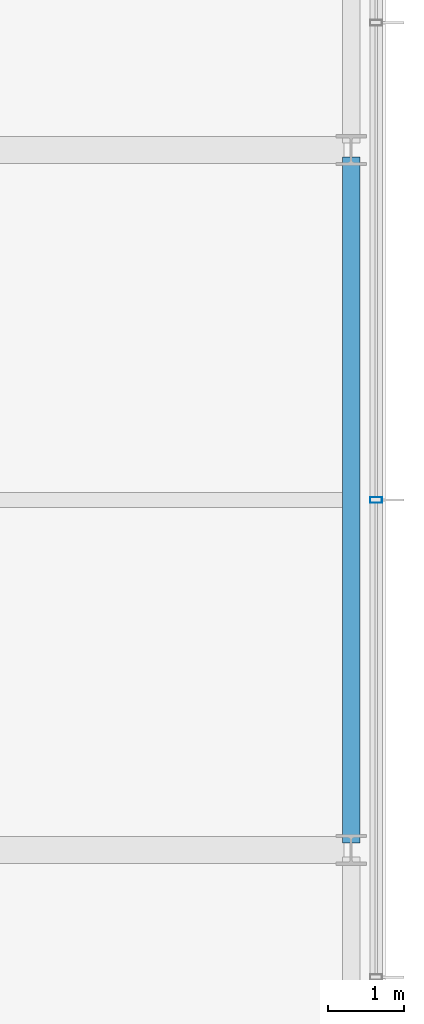
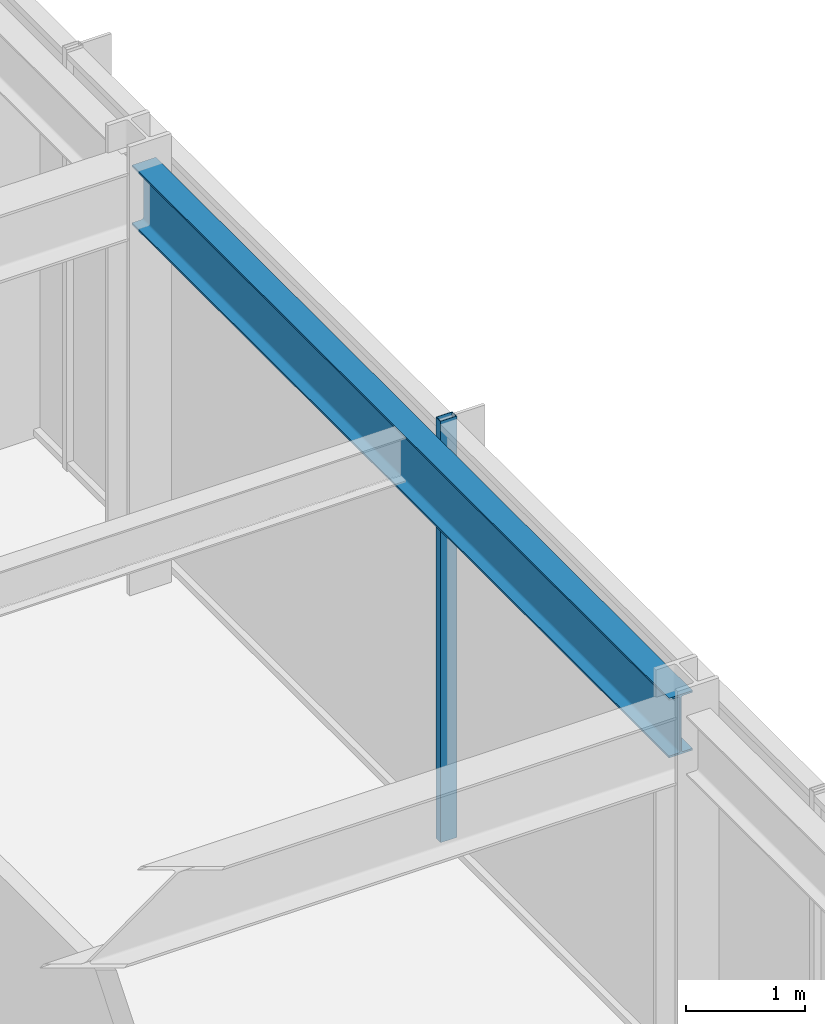
# One storey, part 12 of 30: 1 beam, 1 member, 1 element without a shape of its own.
"""IFC4 building model written with IfcOpenShell, lengths in metres."""

from ifc_helpers import new_model, si_unit, direction, frame, origin, origin_2d, place, context, subcontext, project, spatial, hollow_rectangle, i_section, extrude, material, material_profile, profile_set, type_object, element, aggregate, save


model = new_model("IFC4")

# Units and contexts
model_context = context("Model", 3, precision=1e-05, world=origin(), true_north=direction((0.0, 1.0)))
body_context = subcontext(model_context, "Body", "Model", "MODEL_VIEW")
ifc_project = project(units=[si_unit("LENGTHUNIT", "METRE"), si_unit("AREAUNIT", "SQUARE_METRE"), si_unit("VOLUMEUNIT", "CUBIC_METRE"), si_unit("PLANEANGLEUNIT", "RADIAN"), si_unit("MASSUNIT", "GRAM", prefix="KILO")], contexts=[model_context])

# Site, building, storey
site_placement = place(None, origin())
site = spatial("IfcSite", under=ifc_project, at=site_placement, CompositionType="ELEMENT")
building_placement = place(site_placement, origin())
building = spatial("IfcBuilding", under=site, at=building_placement, Name="Kolvaren Belvedere", CompositionType="ELEMENT")
storey_placement = place(building_placement, frame((0.0, 0.0, 262.800048828125)))
storey = spatial("IfcBuildingStorey", under=building, at=storey_placement, Name="L76", CompositionType="ELEMENT", Elevation=262.800048828125)

# Beam
ifc_material_1 = material(Name="Structural steel ASTM A992 Grade 50", Category="steel")
ifc_material_profile_1 = material_profile(ifc_material_1, i_section(OverallWidth=0.22900390625, OverallDepth=0.612060546875, WebThickness=0.011962890625, FlangeThickness=0.01953125, FilletRadius=0.01806640625, at=origin_2d()), Name="W24X84")
ifc_profile_set_1 = profile_set([ifc_material_profile_1], Name="Structural steel ASTM A992 Grade 50")
beam_type = type_object("IfcBeamType", Name="BM-SPAN-W24X84", PredefinedType="SPANDREL", material=ifc_profile_set_1)
beam_placement = place(storey_placement, frame((17.949951171875, -4.50830078125, 4.013916015625), z_axis=(0.0, 1.0, 0.0), x_axis=(-1.0, 0.0, 0.0)))
element("IfcBeam", 1, at=beam_placement, inside=storey, type_object=beam_type, Name="L76 Perimeter Spandrel E2-E3", PredefinedType="SPANDREL", context=body_context, shape_type="SweptSolid", body=[
    extrude(i_section(OverallWidth=0.22900390625, OverallDepth=0.612060546875, WebThickness=0.011962890625, FlangeThickness=0.01953125, FilletRadius=0.01806640625, at=origin_2d()), origin(), (0.0, 0.0, 1.0), 9.0166015625),
])

# Curtain wall, member
ifc_material_2 = material(Name="Anodised pale-metal aluminium AA 6063-T6", Category="aluminium")
curtain_wall_type = type_object("IfcCurtainWallType", Name="CW-CRN-OBS", PredefinedType="NOTDEFINED", material=ifc_material_2)
curtain_wall_placement = place(storey_placement, origin())
curtain_wall = element("IfcCurtainWall", 2, at=curtain_wall_placement, inside=storey, type_object=curtain_wall_type, Name="L76 Unitised Curtain Wall FCW-L76-E", PredefinedType="NOTDEFINED")
ifc_material_3 = material(Name="Anodised pale-metal aluminium AA 6063-T6", Category="aluminium")
ifc_material_profile_2 = material_profile(ifc_material_3, hollow_rectangle(XDim=0.074951171875, YDim=0.159912109375, WallThickness=0.00439453125, at=origin_2d()), Name="ALU-MUL-160X75")
ifc_profile_set_2 = profile_set([ifc_material_profile_2], Name="Anodised pale-metal aluminium AA 6063-T6")
member_type = type_object("IfcMemberType", Name="CW-MUL-160", PredefinedType="MULLION", material=ifc_profile_set_2)
member_placement = place(storey_placement, frame((18.280029296875, 0.0, 0.0), z_axis=(0.0, 0.0, 1.0), x_axis=(0.0, 1.0, 0.0)))
member = element("IfcMember", 3, at=member_placement, type_object=member_type, Name="FCW-L76-E Unitised Mullion 3", PredefinedType="MULLION", context=body_context, shape_type="SweptSolid", body=[
    extrude(hollow_rectangle(XDim=0.074951171875, YDim=0.159912109375, WallThickness=0.00439453125, at=origin_2d()), origin(), (0.0, 0.0, 1.0), 4.320068359375),
])
aggregate(curtain_wall, [member])

save(model, "model.ifc")
